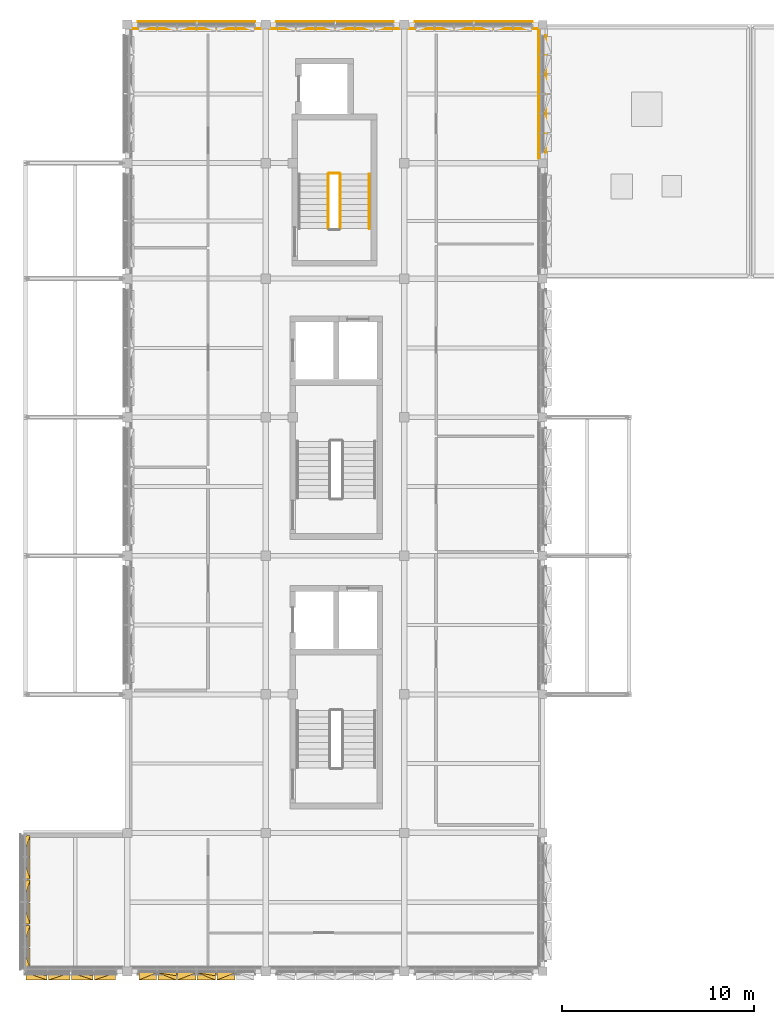
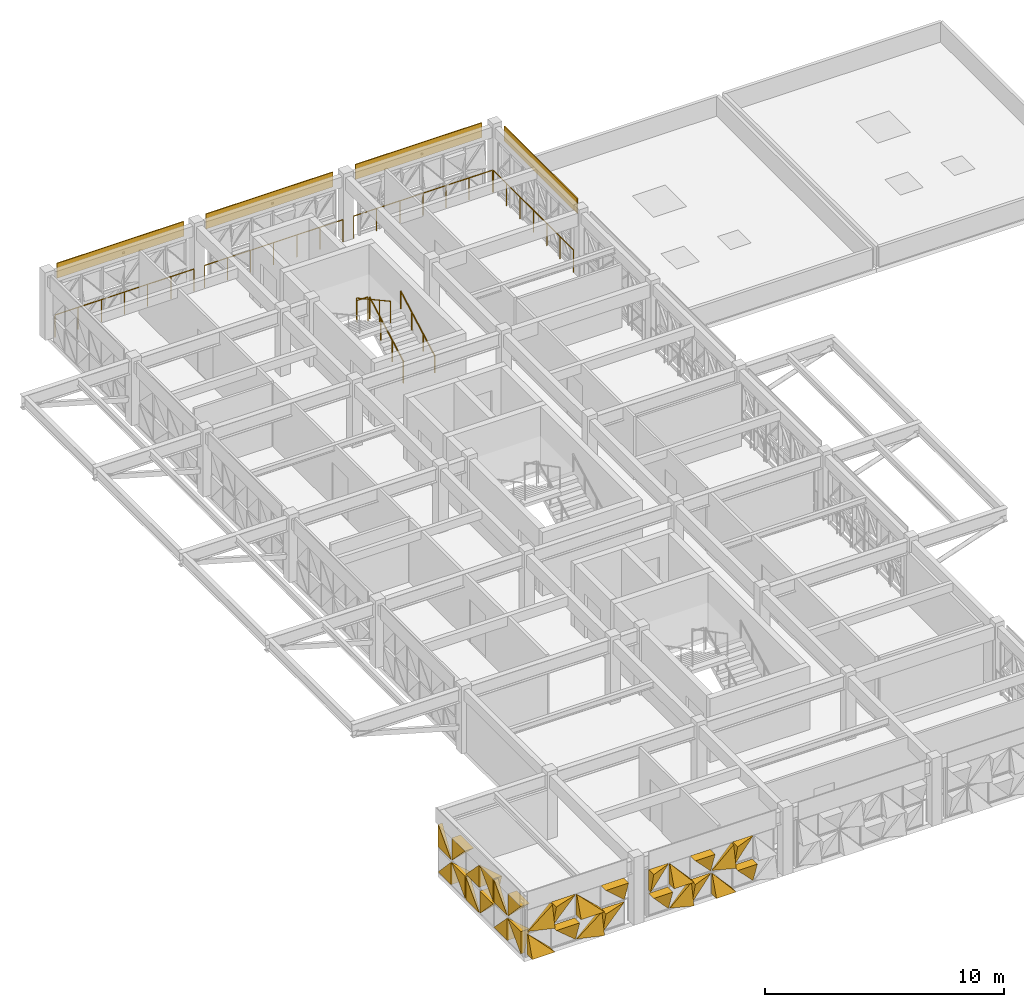
# One storey, part 26 of 30: 34 coverings, 8 railings.
"""IFC4 building model written with IfcOpenShell, lengths in metres."""

from ifc_helpers import new_model, si_unit, direction, frame, origin, origin_2d, place, context, subcontext, project, spatial, polyline, circle, outline, extrude, polygons, material, layer, layer_set, type_object, element, save


model = new_model("IFC4")

# Units and contexts
model_context = context("Model", 3, precision=1e-05, world=origin(), true_north=direction((0.0, 1.0)))
body_context = subcontext(model_context, "Body", "Model", "MODEL_VIEW")
ifc_project = project(units=[si_unit("LENGTHUNIT", "METRE"), si_unit("AREAUNIT", "SQUARE_METRE"), si_unit("VOLUMEUNIT", "CUBIC_METRE"), si_unit("PLANEANGLEUNIT", "RADIAN"), si_unit("MASSUNIT", "GRAM", prefix="KILO")], contexts=[model_context])

# Site, building, storey
site_placement = place(None, origin())
site = spatial("IfcSite", under=ifc_project, at=site_placement, CompositionType="ELEMENT")
building_placement = place(site_placement, origin())
building = spatial("IfcBuilding", under=site, at=building_placement, Name="Alvorim Cloister Faculty of Sciences", CompositionType="ELEMENT")
storey_placement = place(building_placement, frame((0.0, 0.0, 26.25)))
storey = spatial("IfcBuildingStorey", under=building, at=storey_placement, Name="L07", CompositionType="ELEMENT", Elevation=26.25)

# Coverings
ifc_material_1 = material(Name="Anodised Aluminium Alloy 6063-T6", Category="aluminium")
ifc_layer_1 = layer(ifc_material_1, 0.031982421875)
ifc_layer_set_1 = layer_set([ifc_layer_1], Name="Anodised Aluminium Alloy 6063-T6")
covering_type_1 = type_object("IfcCoveringType", Name="COV-FAC-CAS", PredefinedType="CLADDING", material=ifc_layer_set_1)
for number, where, z_axis, x_axis, name in (
    (1, (7.739990234375, 56.550048828125, 2.679931640625), (0.0, 0.0, 1.0), (1.0, 0.0, 0.0), "L07 Shifted Bar Slab-Edge Architectural Fascia"),
    (2, (14.93994140625, 56.550048828125, 2.679931640625), (0.0, 0.0, 1.0), (1.0, 0.0, 0.0), "L07 Shifted Bar Slab-Edge Architectural Fascia"),
    (3, (22.139892578125, 56.550048828125, 2.679931640625), (0.0, 0.0, 1.0), (1.0, 0.0, 0.0), "L07 Shifted Bar Slab-Edge Architectural Fascia"),
    (4, (28.949951171875, 49.739990234375, 2.679931640625), (0.0, 0.0, 1.0), (0.0, 1.0, 0.0), "L07 Shifted Bar Slab-Edge Architectural Fascia"),
):
    element("IfcCovering", number, at=place(storey_placement, frame(where, z_axis=z_axis, x_axis=x_axis)), inside=storey, type_object=covering_type_1, Name=name, PredefinedType="CLADDING", context=body_context, shape_type="SweptSolid", body=[
        extrude(outline(polyline([(0.0, 0.0), (6.1201171875, 0.0), (6.1201171875, 0.760009765625), (0.0, 0.760009765625), (0.0, 0.0)])), frame((0.0, 0.0224609375, 0.0), z_axis=(0.0, -1.0, 0.0), x_axis=(1.0, 0.0, 0.0)), (0.0, 0.0, 1.0), 0.044921875),
    ])
ifc_material_2 = material(Name="Perforated Bronze Alloy Sheet", Category="metal")
ifc_layer_2 = layer(ifc_material_2, 0.0380859375)
ifc_layer_set_2 = layer_set([ifc_layer_2], Name="Perforated Bronze Alloy Sheet")
covering_type_2 = type_object("IfcCoveringType", Name="COV-TRI-BRZ", PredefinedType="CLADDING", material=ifc_layer_set_2)
covering_1_placement = place(storey_placement, frame((7.804931640625, 7.155029296875, 0.139892578125), z_axis=(0.0, 0.0, 1.0), x_axis=(1.0, 0.0, 0.0)))
element("IfcCovering", 5, at=covering_1_placement, inside=storey, type_object=covering_type_2, Name="Diagonal Solid Metal Triangle TRI-TR", PredefinedType="CLADDING", context=body_context, shape_type="Tessellation", body=[
    polygons([(0.922607421875, 0.0260009765625, 0.002), (0.922607421875, 0.0260009765625, 1.068115234375), (0.002, 0.0260009765625, 1.068115234375), (0.922607421875, -0.03, 0.002), (0.922607421875, -0.4, 1.068115234375), (0.002, -0.4, 1.068115234375)], [[[1, 3, 2]], [[4, 5, 6]], [[1, 2, 5, 4]], [[2, 3, 6, 5]], [[3, 1, 4, 6]]], closed=True),
])
covering_2_placement = place(storey_placement, frame((7.804931640625, 7.155029296875, 1.347900390625), z_axis=(0.0, 0.0, 1.0), x_axis=(1.0, 0.0, 0.0)))
element("IfcCovering", 6, at=covering_2_placement, inside=storey, type_object=covering_type_2, Name="Diagonal Solid Metal Triangle TRI-TL", PredefinedType="CLADDING", context=body_context, shape_type="Tessellation", body=[
    polygons([(0.920607421875, 0.0260009765625, 1.068115234375), (0.0, 0.0260009765625, 1.068115234375), (0.0, 0.0260009765625, 0.002), (0.920607421875, -0.03, 1.068115234375), (0.0, -0.4, 1.068115234375), (0.0, -0.13999999999999999, 0.002)], [[[1, 3, 2]], [[4, 5, 6]], [[1, 2, 5, 4]], [[2, 3, 6, 5]], [[3, 1, 4, 6]]], closed=True),
])
covering_3_placement = place(storey_placement, frame((8.79248046875, 7.155029296875, 0.139892578125), z_axis=(0.0, 0.0, 1.0), x_axis=(1.0, 0.0, 0.0)))
element("IfcCovering", 7, at=covering_3_placement, inside=storey, type_object=covering_type_2, Name="Diagonal Solid Metal Triangle TRI-BR", PredefinedType="CLADDING", context=body_context, shape_type="Tessellation", body=[
    polygons([(0.002, 0.0260009765625, 0.0), (0.955078125, 0.0260009765625, 0.0), (0.955078125, 0.0260009765625, 1.066115234375), (0.002, -0.03, 0.0), (0.955078125, -0.4, 0.0), (0.955078125, -0.18000000000000002, 1.066115234375)], [[[1, 3, 2]], [[4, 5, 6]], [[1, 2, 5, 4]], [[2, 3, 6, 5]], [[3, 1, 4, 6]]], closed=True),
])
covering_4_placement = place(storey_placement, frame((8.79248046875, 7.155029296875, 1.347900390625), z_axis=(0.0, 0.0, 1.0), x_axis=(1.0, 0.0, 0.0)))
element("IfcCovering", 8, at=covering_4_placement, inside=storey, type_object=covering_type_2, Name="Diagonal Solid Metal Triangle TRI-BL", PredefinedType="CLADDING", context=body_context, shape_type="Tessellation", body=[
    polygons([(0.0, 0.0260009765625, 0.0), (0.953078125, 0.0260009765625, 0.0), (0.0, 0.0260009765625, 1.066115234375), (0.0, -0.4, 0.0), (0.953078125, -0.4, 0.0), (0.0, -0.03, 1.066115234375)], [[[1, 3, 2]], [[4, 5, 6]], [[1, 2, 5, 4]], [[2, 3, 6, 5]], [[3, 1, 4, 6]]], closed=True),
])
covering_5_placement = place(storey_placement, frame((9.8125, 7.155029296875, 0.139892578125), z_axis=(0.0, 0.0, 1.0), x_axis=(1.0, 0.0, 0.0)))
element("IfcCovering", 9, at=covering_5_placement, inside=storey, type_object=covering_type_2, Name="Diagonal Solid Metal Triangle TRI-TL", PredefinedType="CLADDING", context=body_context, shape_type="Tessellation", body=[
    polygons([(0.953078125, 0.0260009765625, 1.068115234375), (0.0, 0.0260009765625, 1.068115234375), (0.0, 0.0260009765625, 0.002), (0.953078125, -0.03, 1.068115234375), (0.0, -0.4, 1.068115234375), (0.0, -0.13999999999999999, 0.002)], [[[1, 3, 2]], [[4, 5, 6]], [[1, 2, 5, 4]], [[2, 3, 6, 5]], [[3, 1, 4, 6]]], closed=True),
])
covering_6_placement = place(storey_placement, frame((9.8125, 7.155029296875, 1.347900390625), z_axis=(0.0, 0.0, 1.0), x_axis=(1.0, 0.0, 0.0)))
element("IfcCovering", 10, at=covering_6_placement, inside=storey, type_object=covering_type_2, Name="Diagonal Solid Metal Triangle TRI-TR", PredefinedType="CLADDING", context=body_context, shape_type="Tessellation", body=[
    polygons([(0.955078125, 0.0260009765625, 0.002), (0.955078125, 0.0260009765625, 1.068115234375), (0.002, 0.0260009765625, 1.068115234375), (0.955078125, -0.03, 0.002), (0.955078125, -0.4, 1.068115234375), (0.002, -0.4, 1.068115234375)], [[[1, 3, 2]], [[4, 5, 6]], [[1, 2, 5, 4]], [[2, 3, 6, 5]], [[3, 1, 4, 6]]], closed=True),
])
covering_7_placement = place(storey_placement, frame((10.83251953125, 7.155029296875, 0.139892578125), z_axis=(0.0, 0.0, 1.0), x_axis=(1.0, 0.0, 0.0)))
element("IfcCovering", 11, at=covering_7_placement, inside=storey, type_object=covering_type_2, Name="Diagonal Solid Metal Triangle TRI-BL", PredefinedType="CLADDING", context=body_context, shape_type="Tessellation", body=[
    polygons([(0.0, 0.0260009765625, 0.0), (0.953078125, 0.0260009765625, 0.0), (0.0, 0.0260009765625, 1.066115234375), (0.0, -0.4, 0.0), (0.953078125, -0.4, 0.0), (0.0, -0.03, 1.066115234375)], [[[1, 3, 2]], [[4, 5, 6]], [[1, 2, 5, 4]], [[2, 3, 6, 5]], [[3, 1, 4, 6]]], closed=True),
])
covering_8_placement = place(storey_placement, frame((10.83251953125, 7.155029296875, 1.347900390625), z_axis=(0.0, 0.0, 1.0), x_axis=(1.0, 0.0, 0.0)))
element("IfcCovering", 12, at=covering_8_placement, inside=storey, type_object=covering_type_2, Name="Diagonal Solid Metal Triangle TRI-BR", PredefinedType="CLADDING", context=body_context, shape_type="Tessellation", body=[
    polygons([(0.002, 0.0260009765625, 0.0), (0.955078125, 0.0260009765625, 0.0), (0.955078125, 0.0260009765625, 1.066115234375), (0.002, -0.03, 0.0), (0.955078125, -0.4, 0.0), (0.955078125, -0.18000000000000002, 1.066115234375)], [[[1, 3, 2]], [[4, 5, 6]], [[1, 2, 5, 4]], [[2, 3, 6, 5]], [[3, 1, 4, 6]]], closed=True),
])
covering_9_placement = place(storey_placement, frame((11.8525390625, 7.155029296875, 0.139892578125), z_axis=(0.0, 0.0, 1.0), x_axis=(1.0, 0.0, 0.0)))
element("IfcCovering", 13, at=covering_9_placement, inside=storey, type_object=covering_type_2, Name="Diagonal Solid Metal Triangle TRI-TR", PredefinedType="CLADDING", context=body_context, shape_type="Tessellation", body=[
    polygons([(0.955078125, 0.0260009765625, 0.002), (0.955078125, 0.0260009765625, 1.068115234375), (0.002, 0.0260009765625, 1.068115234375), (0.955078125, -0.03, 0.002), (0.955078125, -0.4, 1.068115234375), (0.002, -0.4, 1.068115234375)], [[[1, 3, 2]], [[4, 5, 6]], [[1, 2, 5, 4]], [[2, 3, 6, 5]], [[3, 1, 4, 6]]], closed=True),
])
covering_10_placement = place(storey_placement, frame((11.8525390625, 7.155029296875, 1.347900390625), z_axis=(0.0, 0.0, 1.0), x_axis=(1.0, 0.0, 0.0)))
element("IfcCovering", 14, at=covering_10_placement, inside=storey, type_object=covering_type_2, Name="Diagonal Solid Metal Triangle TRI-TL", PredefinedType="CLADDING", context=body_context, shape_type="Tessellation", body=[
    polygons([(0.953078125, 0.0260009765625, 1.068115234375), (0.0, 0.0260009765625, 1.068115234375), (0.0, 0.0260009765625, 0.002), (0.953078125, -0.03, 1.068115234375), (0.0, -0.4, 1.068115234375), (0.0, -0.13999999999999999, 0.002)], [[[1, 3, 2]], [[4, 5, 6]], [[1, 2, 5, 4]], [[2, 3, 6, 5]], [[3, 1, 4, 6]]], closed=True),
])
covering_11_placement = place(storey_placement, frame((1.945068359375, 7.155029296875, 0.139892578125), z_axis=(0.0, 0.0, 1.0), x_axis=(1.0, 0.0, 0.0)))
element("IfcCovering", 15, at=covering_11_placement, inside=storey, type_object=covering_type_2, Name="Diagonal Solid Metal Triangle TRI-BL", PredefinedType="CLADDING", context=body_context, shape_type="Tessellation", body=[
    polygons([(0.0, 0.0260009765625, 0.0), (1.095412109375, 0.0260009765625, 0.0), (0.0, 0.0260009765625, 1.066115234375), (0.0, -0.4, 0.0), (1.095412109375, -0.4, 0.0), (0.0, -0.03, 1.066115234375)], [[[1, 3, 2]], [[4, 5, 6]], [[1, 2, 5, 4]], [[2, 3, 6, 5]], [[3, 1, 4, 6]]], closed=True),
])
covering_12_placement = place(storey_placement, frame((1.945068359375, 7.155029296875, 1.347900390625), z_axis=(0.0, 0.0, 1.0), x_axis=(1.0, 0.0, 0.0)))
element("IfcCovering", 16, at=covering_12_placement, inside=storey, type_object=covering_type_2, Name="Diagonal Solid Metal Triangle TRI-BR", PredefinedType="CLADDING", context=body_context, shape_type="Tessellation", body=[
    polygons([(0.002, 0.0260009765625, 0.0), (1.097412109375, 0.0260009765625, 0.0), (1.097412109375, 0.0260009765625, 1.066115234375), (0.002, -0.03, 0.0), (1.097412109375, -0.4, 0.0), (1.097412109375, -0.18000000000000002, 1.066115234375)], [[[1, 3, 2]], [[4, 5, 6]], [[1, 2, 5, 4]], [[2, 3, 6, 5]], [[3, 1, 4, 6]]], closed=True),
])
covering_13_placement = place(storey_placement, frame((3.107421875, 7.155029296875, 0.139892578125), z_axis=(0.0, 0.0, 1.0), x_axis=(1.0, 0.0, 0.0)))
element("IfcCovering", 17, at=covering_13_placement, inside=storey, type_object=covering_type_2, Name="Diagonal Solid Metal Triangle TRI-TR", PredefinedType="CLADDING", context=body_context, shape_type="Tessellation", body=[
    polygons([(1.1298828125, 0.0260009765625, 0.002), (1.1298828125, 0.0260009765625, 1.068115234375), (0.002, 0.0260009765625, 1.068115234375), (1.1298828125, -0.03, 0.002), (1.1298828125, -0.4, 1.068115234375), (0.002, -0.4, 1.068115234375)], [[[1, 3, 2]], [[4, 5, 6]], [[1, 2, 5, 4]], [[2, 3, 6, 5]], [[3, 1, 4, 6]]], closed=True),
])
covering_14_placement = place(storey_placement, frame((3.107421875, 7.155029296875, 1.347900390625), z_axis=(0.0, 0.0, 1.0), x_axis=(1.0, 0.0, 0.0)))
element("IfcCovering", 18, at=covering_14_placement, inside=storey, type_object=covering_type_2, Name="Diagonal Solid Metal Triangle TRI-TL", PredefinedType="CLADDING", context=body_context, shape_type="Tessellation", body=[
    polygons([(1.1278828125, 0.0260009765625, 1.068115234375), (0.0, 0.0260009765625, 1.068115234375), (0.0, 0.0260009765625, 0.002), (1.1278828125, -0.03, 1.068115234375), (0.0, -0.4, 1.068115234375), (0.0, -0.13999999999999999, 0.002)], [[[1, 3, 2]], [[4, 5, 6]], [[1, 2, 5, 4]], [[2, 3, 6, 5]], [[3, 1, 4, 6]]], closed=True),
])
covering_15_placement = place(storey_placement, frame((4.302490234375, 7.155029296875, 0.139892578125), z_axis=(0.0, 0.0, 1.0), x_axis=(1.0, 0.0, 0.0)))
element("IfcCovering", 19, at=covering_15_placement, inside=storey, type_object=covering_type_2, Name="Diagonal Solid Metal Triangle TRI-BR", PredefinedType="CLADDING", context=body_context, shape_type="Tessellation", body=[
    polygons([(0.002, 0.0260009765625, 0.0), (1.1298828125, 0.0260009765625, 0.0), (1.1298828125, 0.0260009765625, 1.066115234375), (0.002, -0.03, 0.0), (1.1298828125, -0.4, 0.0), (1.1298828125, -0.18000000000000002, 1.066115234375)], [[[1, 3, 2]], [[4, 5, 6]], [[1, 2, 5, 4]], [[2, 3, 6, 5]], [[3, 1, 4, 6]]], closed=True),
])
covering_16_placement = place(storey_placement, frame((4.302490234375, 7.155029296875, 1.347900390625), z_axis=(0.0, 0.0, 1.0), x_axis=(1.0, 0.0, 0.0)))
element("IfcCovering", 20, at=covering_16_placement, inside=storey, type_object=covering_type_2, Name="Diagonal Solid Metal Triangle TRI-BL", PredefinedType="CLADDING", context=body_context, shape_type="Tessellation", body=[
    polygons([(0.0, 0.0260009765625, 0.0), (1.1278828125, 0.0260009765625, 0.0), (0.0, 0.0260009765625, 1.066115234375), (0.0, -0.4, 0.0), (1.1278828125, -0.4, 0.0), (0.0, -0.03, 1.066115234375)], [[[1, 3, 2]], [[4, 5, 6]], [[1, 2, 5, 4]], [[2, 3, 6, 5]], [[3, 1, 4, 6]]], closed=True),
])
covering_17_placement = place(storey_placement, frame((5.49755859375, 7.155029296875, 0.139892578125), z_axis=(0.0, 0.0, 1.0), x_axis=(1.0, 0.0, 0.0)))
element("IfcCovering", 21, at=covering_17_placement, inside=storey, type_object=covering_type_2, Name="Diagonal Solid Metal Triangle TRI-TL", PredefinedType="CLADDING", context=body_context, shape_type="Tessellation", body=[
    polygons([(1.095412109375, 0.0260009765625, 1.068115234375), (0.0, 0.0260009765625, 1.068115234375), (0.0, 0.0260009765625, 0.002), (1.095412109375, -0.03, 1.068115234375), (0.0, -0.4, 1.068115234375), (0.0, -0.13999999999999999, 0.002)], [[[1, 3, 2]], [[4, 5, 6]], [[1, 2, 5, 4]], [[2, 3, 6, 5]], [[3, 1, 4, 6]]], closed=True),
])
covering_18_placement = place(storey_placement, frame((5.49755859375, 7.155029296875, 1.347900390625), z_axis=(0.0, 0.0, 1.0), x_axis=(1.0, 0.0, 0.0)))
element("IfcCovering", 22, at=covering_18_placement, inside=storey, type_object=covering_type_2, Name="Diagonal Solid Metal Triangle TRI-TR", PredefinedType="CLADDING", context=body_context, shape_type="Tessellation", body=[
    polygons([(1.097412109375, 0.0260009765625, 0.002), (1.097412109375, 0.0260009765625, 1.068115234375), (0.002, 0.0260009765625, 1.068115234375), (1.097412109375, -0.03, 0.002), (1.097412109375, -0.4, 1.068115234375), (0.002, -0.4, 1.068115234375)], [[[1, 3, 2]], [[4, 5, 6]], [[1, 2, 5, 4]], [[2, 3, 6, 5]], [[3, 1, 4, 6]]], closed=True),
])
covering_19_placement = place(storey_placement, frame((1.7548828125, 7.344970703125, 0.139892578125), z_axis=(0.0, 0.0, 1.0), x_axis=(0.0, 1.0, 0.0)))
element("IfcCovering", 23, at=covering_19_placement, inside=storey, type_object=covering_type_2, Name="Diagonal Solid Metal Triangle TRI-TL", PredefinedType="CLADDING", context=body_context, shape_type="Tessellation", body=[
    polygons([(1.073927734375, 0.0260009765625, 1.1435546875), (0.0, 0.0260009765625, 1.1435546875), (0.0, 0.0260009765625, 0.002), (1.073927734375, -0.03, 1.1435546875), (0.0, -0.4, 1.1435546875), (0.0, -0.13999999999999999, 0.002)], [[[1, 3, 2]], [[4, 5, 6]], [[1, 2, 5, 4]], [[2, 3, 6, 5]], [[3, 1, 4, 6]]], closed=True),
])
covering_20_placement = place(storey_placement, frame((1.7548828125, 7.344970703125, 1.423583984375), z_axis=(0.0, 0.0, 1.0), x_axis=(0.0, 1.0, 0.0)))
element("IfcCovering", 24, at=covering_20_placement, inside=storey, type_object=covering_type_2, Name="Diagonal Solid Metal Triangle TRI-TR", PredefinedType="CLADDING", context=body_context, shape_type="Tessellation", body=[
    polygons([(1.075927734375, 0.0260009765625, 0.002), (1.075927734375, 0.0260009765625, 1.143310546875), (0.002, 0.0260009765625, 1.143310546875), (1.075927734375, -0.03, 0.002), (1.075927734375, -0.4, 1.143310546875), (0.002, -0.4, 1.143310546875)], [[[1, 3, 2]], [[4, 5, 6]], [[1, 2, 5, 4]], [[2, 3, 6, 5]], [[3, 1, 4, 6]]], closed=True),
])
covering_21_placement = place(storey_placement, frame((1.7548828125, 8.48583984375, 0.139892578125), z_axis=(0.0, 0.0, 1.0), x_axis=(0.0, 1.0, 0.0)))
element("IfcCovering", 25, at=covering_21_placement, inside=storey, type_object=covering_type_2, Name="Diagonal Solid Metal Triangle TRI-BL", PredefinedType="CLADDING", context=body_context, shape_type="Tessellation", body=[
    polygons([(0.0, 0.0260009765625, 0.0), (1.1063984375, 0.0260009765625, 0.0), (0.0, 0.0260009765625, 1.1415546875), (0.0, -0.4, 0.0), (1.1063984375, -0.4, 0.0), (0.0, -0.03, 1.1415546875)], [[[1, 3, 2]], [[4, 5, 6]], [[1, 2, 5, 4]], [[2, 3, 6, 5]], [[3, 1, 4, 6]]], closed=True),
])
covering_22_placement = place(storey_placement, frame((1.7548828125, 8.48583984375, 1.423583984375), z_axis=(0.0, 0.0, 1.0), x_axis=(0.0, 1.0, 0.0)))
element("IfcCovering", 26, at=covering_22_placement, inside=storey, type_object=covering_type_2, Name="Diagonal Solid Metal Triangle TRI-BR", PredefinedType="CLADDING", context=body_context, shape_type="Tessellation", body=[
    polygons([(0.002, 0.0260009765625, 0.0), (1.1083984375, 0.0260009765625, 0.0), (1.1083984375, 0.0260009765625, 1.141310546875), (0.002, -0.03, 0.0), (1.1083984375, -0.4, 0.0), (1.1083984375, -0.18000000000000002, 1.141310546875)], [[[1, 3, 2]], [[4, 5, 6]], [[1, 2, 5, 4]], [[2, 3, 6, 5]], [[3, 1, 4, 6]]], closed=True),
])
covering_23_placement = place(storey_placement, frame((1.7548828125, 9.6591796875, 0.139892578125), z_axis=(0.0, 0.0, 1.0), x_axis=(0.0, 1.0, 0.0)))
element("IfcCovering", 27, at=covering_23_placement, inside=storey, type_object=covering_type_2, Name="Diagonal Solid Metal Triangle TRI-TR", PredefinedType="CLADDING", context=body_context, shape_type="Tessellation", body=[
    polygons([(1.1083984375, 0.0260009765625, 0.002), (1.1083984375, 0.0260009765625, 1.1435546875), (0.002, 0.0260009765625, 1.1435546875), (1.1083984375, -0.03, 0.002), (1.1083984375, -0.4, 1.1435546875), (0.002, -0.4, 1.1435546875)], [[[1, 3, 2]], [[4, 5, 6]], [[1, 2, 5, 4]], [[2, 3, 6, 5]], [[3, 1, 4, 6]]], closed=True),
])
covering_24_placement = place(storey_placement, frame((1.7548828125, 9.6591796875, 1.423583984375), z_axis=(0.0, 0.0, 1.0), x_axis=(0.0, 1.0, 0.0)))
element("IfcCovering", 28, at=covering_24_placement, inside=storey, type_object=covering_type_2, Name="Diagonal Solid Metal Triangle TRI-TL", PredefinedType="CLADDING", context=body_context, shape_type="Tessellation", body=[
    polygons([(1.1063984375, 0.0260009765625, 1.143310546875), (0.0, 0.0260009765625, 1.143310546875), (0.0, 0.0260009765625, 0.002), (1.1063984375, -0.03, 1.143310546875), (0.0, -0.4, 1.143310546875), (0.0, -0.13999999999999999, 0.002)], [[[1, 3, 2]], [[4, 5, 6]], [[1, 2, 5, 4]], [[2, 3, 6, 5]], [[3, 1, 4, 6]]], closed=True),
])
covering_25_placement = place(storey_placement, frame((1.7548828125, 10.83251953125, 0.139892578125), z_axis=(0.0, 0.0, 1.0), x_axis=(0.0, 1.0, 0.0)))
element("IfcCovering", 29, at=covering_25_placement, inside=storey, type_object=covering_type_2, Name="Diagonal Solid Metal Triangle TRI-BR", PredefinedType="CLADDING", context=body_context, shape_type="Tessellation", body=[
    polygons([(0.002, 0.0260009765625, 0.0), (1.1083984375, 0.0260009765625, 0.0), (1.1083984375, 0.0260009765625, 1.1415546875), (0.002, -0.03, 0.0), (1.1083984375, -0.4, 0.0), (1.1083984375, -0.18000000000000002, 1.1415546875)], [[[1, 3, 2]], [[4, 5, 6]], [[1, 2, 5, 4]], [[2, 3, 6, 5]], [[3, 1, 4, 6]]], closed=True),
])
covering_26_placement = place(storey_placement, frame((1.7548828125, 10.83251953125, 1.423583984375), z_axis=(0.0, 0.0, 1.0), x_axis=(0.0, 1.0, 0.0)))
element("IfcCovering", 30, at=covering_26_placement, inside=storey, type_object=covering_type_2, Name="Diagonal Solid Metal Triangle TRI-BL", PredefinedType="CLADDING", context=body_context, shape_type="Tessellation", body=[
    polygons([(0.0, 0.0260009765625, 0.0), (1.1063984375, 0.0260009765625, 0.0), (0.0, 0.0260009765625, 1.141310546875), (0.0, -0.4, 0.0), (1.1063984375, -0.4, 0.0), (0.0, -0.03, 1.141310546875)], [[[1, 3, 2]], [[4, 5, 6]], [[1, 2, 5, 4]], [[2, 3, 6, 5]], [[3, 1, 4, 6]]], closed=True),
])
covering_27_placement = place(storey_placement, frame((1.7548828125, 12.005859375, 0.139892578125), z_axis=(0.0, 0.0, 1.0), x_axis=(0.0, 1.0, 0.0)))
element("IfcCovering", 31, at=covering_27_placement, inside=storey, type_object=covering_type_2, Name="Diagonal Solid Metal Triangle TRI-TL", PredefinedType="CLADDING", context=body_context, shape_type="Tessellation", body=[
    polygons([(1.1063984375, 0.0260009765625, 1.1435546875), (0.0, 0.0260009765625, 1.1435546875), (0.0, 0.0260009765625, 0.002), (1.1063984375, -0.03, 1.1435546875), (0.0, -0.4, 1.1435546875), (0.0, -0.13999999999999999, 0.002)], [[[1, 3, 2]], [[4, 5, 6]], [[1, 2, 5, 4]], [[2, 3, 6, 5]], [[3, 1, 4, 6]]], closed=True),
])
covering_28_placement = place(storey_placement, frame((1.7548828125, 12.005859375, 1.423583984375), z_axis=(0.0, 0.0, 1.0), x_axis=(0.0, 1.0, 0.0)))
element("IfcCovering", 32, at=covering_28_placement, inside=storey, type_object=covering_type_2, Name="Diagonal Solid Metal Triangle TRI-TR", PredefinedType="CLADDING", context=body_context, shape_type="Tessellation", body=[
    polygons([(1.1083984375, 0.0260009765625, 0.002), (1.1083984375, 0.0260009765625, 1.143310546875), (0.002, 0.0260009765625, 1.143310546875), (1.1083984375, -0.03, 0.002), (1.1083984375, -0.4, 1.143310546875), (0.002, -0.4, 1.143310546875)], [[[1, 3, 2]], [[4, 5, 6]], [[1, 2, 5, 4]], [[2, 3, 6, 5]], [[3, 1, 4, 6]]], closed=True),
])
covering_29_placement = place(storey_placement, frame((1.7548828125, 13.17919921875, 0.139892578125), z_axis=(0.0, 0.0, 1.0), x_axis=(0.0, 1.0, 0.0)))
element("IfcCovering", 33, at=covering_29_placement, inside=storey, type_object=covering_type_2, Name="Diagonal Solid Metal Triangle TRI-BL", PredefinedType="CLADDING", context=body_context, shape_type="Tessellation", body=[
    polygons([(0.0, 0.0260009765625, 0.0), (1.073927734375, 0.0260009765625, 0.0), (0.0, 0.0260009765625, 1.1415546875), (0.0, -0.4, 0.0), (1.073927734375, -0.4, 0.0), (0.0, -0.03, 1.1415546875)], [[[1, 3, 2]], [[4, 5, 6]], [[1, 2, 5, 4]], [[2, 3, 6, 5]], [[3, 1, 4, 6]]], closed=True),
])
covering_30_placement = place(storey_placement, frame((1.7548828125, 13.17919921875, 1.423583984375), z_axis=(0.0, 0.0, 1.0), x_axis=(0.0, 1.0, 0.0)))
element("IfcCovering", 34, at=covering_30_placement, inside=storey, type_object=covering_type_2, Name="Diagonal Solid Metal Triangle TRI-BR", PredefinedType="CLADDING", context=body_context, shape_type="Tessellation", body=[
    polygons([(0.002, 0.0260009765625, 0.0), (1.075927734375, 0.0260009765625, 0.0), (1.075927734375, 0.0260009765625, 1.141310546875), (0.002, -0.03, 0.0), (1.075927734375, -0.4, 0.0), (1.075927734375, -0.18000000000000002, 1.141310546875)], [[[1, 3, 2]], [[4, 5, 6]], [[1, 2, 5, 4]], [[2, 3, 6, 5]], [[3, 1, 4, 6]]], closed=True),
])

# Railings
ifc_material_3 = material(Name="Laminated Safety Glass and Bronze", Category="glass")
railing_type_1 = type_object("IfcRailingType", Name="RL-ATR-BAL-1150", PredefinedType="BALUSTRADE", material=ifc_material_3)
railing_1_placement = place(storey_placement, frame((7.449951171875, 56.179931640625, 0.0)))
element("IfcRailing", 35, at=railing_1_placement, inside=storey, type_object=railing_type_1, Name="L07 Curtain Wall Sill Guard BL-266", PredefinedType="BALUSTRADE", context=body_context, shape_type="SweptSolid", body=[
    extrude(circle(Radius=0.02392578125, at=origin_2d()), frame((0.0, 0.0, 1.1259765625), z_axis=(1.0, 0.0, 0.0), x_axis=(0.0, 1.0, 0.0)), (0.0, 0.0, 1.0), 6.699951171875),
    extrude(circle(Radius=0.02099609375, at=origin_2d()), origin(), (0.0, 0.0, 1.0), 1.101806640625),
    extrude(circle(Radius=0.02099609375, at=origin_2d()), frame((1.11669921875, 0.0, 0.0)), (0.0, 0.0, 1.0), 1.101806640625),
    extrude(circle(Radius=0.02099609375, at=origin_2d()), frame((2.2333984375, 0.0, 0.0)), (0.0, 0.0, 1.0), 1.101806640625),
    extrude(circle(Radius=0.02099609375, at=origin_2d()), frame((3.35009765625, 0.0, 0.0)), (0.0, 0.0, 1.0), 1.101806640625),
    extrude(circle(Radius=0.02099609375, at=origin_2d()), frame((4.466552734375, 0.0, 0.0)), (0.0, 0.0, 1.0), 1.101806640625),
    extrude(circle(Radius=0.02099609375, at=origin_2d()), frame((5.583251953125, 0.0, 0.0)), (0.0, 0.0, 1.0), 1.101806640625),
    extrude(circle(Radius=0.02099609375, at=origin_2d()), frame((6.699951171875, 0.0, 0.0)), (0.0, 0.0, 1.0), 1.101806640625),
])
railing_2_placement = place(storey_placement, frame((14.64990234375, 56.179931640625, 0.0)))
element("IfcRailing", 36, at=railing_2_placement, inside=storey, type_object=railing_type_1, Name="L07 Curtain Wall Sill Guard BL-267", PredefinedType="BALUSTRADE", context=body_context, shape_type="SweptSolid", body=[
    extrude(circle(Radius=0.02392578125, at=origin_2d()), frame((0.0, 0.0, 1.1259765625), z_axis=(1.0, 0.0, 0.0), x_axis=(0.0, 1.0, 0.0)), (0.0, 0.0, 1.0), 6.7001953125),
    extrude(circle(Radius=0.02099609375, at=origin_2d()), origin(), (0.0, 0.0, 1.0), 1.101806640625),
    extrude(circle(Radius=0.02099609375, at=origin_2d()), frame((1.11669921875, 0.0, 0.0)), (0.0, 0.0, 1.0), 1.101806640625),
    extrude(circle(Radius=0.02099609375, at=origin_2d()), frame((2.2333984375, 0.0, 0.0)), (0.0, 0.0, 1.0), 1.101806640625),
    extrude(circle(Radius=0.02099609375, at=origin_2d()), frame((3.35009765625, 0.0, 0.0)), (0.0, 0.0, 1.0), 1.101806640625),
    extrude(circle(Radius=0.02099609375, at=origin_2d()), frame((4.466796875, 0.0, 0.0)), (0.0, 0.0, 1.0), 1.101806640625),
    extrude(circle(Radius=0.02099609375, at=origin_2d()), frame((5.58349609375, 0.0, 0.0)), (0.0, 0.0, 1.0), 1.101806640625),
    extrude(circle(Radius=0.02099609375, at=origin_2d()), frame((6.7001953125, 0.0, 0.0)), (0.0, 0.0, 1.0), 1.101806640625),
])
railing_3_placement = place(storey_placement, frame((21.85009765625, 56.179931640625, 0.0)))
element("IfcRailing", 37, at=railing_3_placement, inside=storey, type_object=railing_type_1, Name="L07 Curtain Wall Sill Guard BL-268", PredefinedType="BALUSTRADE", context=body_context, shape_type="SweptSolid", body=[
    extrude(circle(Radius=0.02392578125, at=origin_2d()), frame((0.0, 0.0, 1.1259765625), z_axis=(1.0, 0.0, 0.0), x_axis=(0.0, 1.0, 0.0)), (0.0, 0.0, 1.0), 6.699951171875),
    extrude(circle(Radius=0.02099609375, at=origin_2d()), origin(), (0.0, 0.0, 1.0), 1.101806640625),
    extrude(circle(Radius=0.02099609375, at=origin_2d()), frame((1.11669921875, 0.0, 0.0)), (0.0, 0.0, 1.0), 1.101806640625),
    extrude(circle(Radius=0.02099609375, at=origin_2d()), frame((2.2333984375, 0.0, 0.0)), (0.0, 0.0, 1.0), 1.101806640625),
    extrude(circle(Radius=0.02099609375, at=origin_2d()), frame((3.35009765625, 0.0, 0.0)), (0.0, 0.0, 1.0), 1.101806640625),
    extrude(circle(Radius=0.02099609375, at=origin_2d()), frame((4.466552734375, 0.0, 0.0)), (0.0, 0.0, 1.0), 1.101806640625),
    extrude(circle(Radius=0.02099609375, at=origin_2d()), frame((5.583251953125, 0.0, 0.0)), (0.0, 0.0, 1.0), 1.101806640625),
    extrude(circle(Radius=0.02099609375, at=origin_2d()), frame((6.699951171875, 0.0, 0.0)), (0.0, 0.0, 1.0), 1.101806640625),
])
railing_4_placement = place(storey_placement, frame((28.580078125, 49.449951171875, 0.0)))
element("IfcRailing", 38, at=railing_4_placement, inside=storey, type_object=railing_type_1, Name="L07 Curtain Wall Sill Guard BL-269", PredefinedType="BALUSTRADE", context=body_context, shape_type="SweptSolid", body=[
    extrude(circle(Radius=0.02392578125, at=origin_2d()), frame((0.0, 0.0, 1.1259765625), z_axis=(0.0, 1.0, 0.0), x_axis=(-1.0, 0.0, 0.0)), (0.0, 0.0, 1.0), 6.699951171875),
    extrude(circle(Radius=0.02099609375, at=origin_2d()), origin(), (0.0, 0.0, 1.0), 1.101806640625),
    extrude(circle(Radius=0.02099609375, at=origin_2d()), frame((0.0, 1.11669921875, 0.0)), (0.0, 0.0, 1.0), 1.101806640625),
    extrude(circle(Radius=0.02099609375, at=origin_2d()), frame((0.0, 2.2333984375, 0.0)), (0.0, 0.0, 1.0), 1.101806640625),
    extrude(circle(Radius=0.02099609375, at=origin_2d()), frame((0.0, 3.35009765625, 0.0)), (0.0, 0.0, 1.0), 1.101806640625),
    extrude(circle(Radius=0.02099609375, at=origin_2d()), frame((0.0, 4.466552734375, 0.0)), (0.0, 0.0, 1.0), 1.101806640625),
    extrude(circle(Radius=0.02099609375, at=origin_2d()), frame((0.0, 5.583251953125, 0.0)), (0.0, 0.0, 1.0), 1.101806640625),
    extrude(circle(Radius=0.02099609375, at=origin_2d()), frame((0.0, 6.699951171875, 0.0)), (0.0, 0.0, 1.0), 1.101806640625),
])
ifc_material_4 = material(Name="Galvanised Painted Steel", Category="steel")
railing_type_2 = type_object("IfcRailingType", Name="RL-STR-GUARD", PredefinedType="GUARDRAIL", material=ifc_material_4)
railing_5_placement = place(storey_placement, frame((18.27001953125, 45.800048828125, 0.172607421875)))
element("IfcRailing", 39, at=railing_5_placement, inside=storey, type_object=railing_type_2, Name="L07 ST-03 stair guard 1", PredefinedType="GUARDRAIL", context=body_context, shape_type="SweptSolid", body=[
    extrude(circle(Radius=0.02392578125, at=origin_2d()), frame((0.0, 0.0, 1.09619140625), z_axis=(0.0, 0.877094752556, 0.480317389899), x_axis=(-1.0, 0.0, 0.0)), (0.0, 0.0, 1.0), 3.232177734375),
    extrude(circle(Radius=0.02099609375, at=origin_2d()), origin(), (0.0, 0.0, 1.0), 1.072021484375),
    extrude(circle(Radius=0.02099609375, at=origin_2d()), frame((0.0, 0.945068359375, 0.517578125)), (0.0, 0.0, 1.0), 1.072021484375),
    extrude(circle(Radius=0.02099609375, at=origin_2d()), frame((0.0, 1.889892578125, 1.034912109375)), (0.0, 0.0, 1.0), 1.072021484375),
    extrude(circle(Radius=0.02099609375, at=origin_2d()), frame((0.0, 2.8349609375, 1.552490234375)), (0.0, 0.0, 1.0), 1.072021484375),
])
railing_6_placement = place(storey_placement, frame((18.219970703125, 48.68505859375, 1.72509765625)))
element("IfcRailing", 40, at=railing_6_placement, inside=storey, type_object=railing_type_2, Name="L07 ST-03 stair guard 2", PredefinedType="GUARDRAIL", context=body_context, shape_type="SweptSolid", body=[
    extrude(circle(Radius=0.02392578125, at=origin_2d()), frame((0.0, 0.0, 1.09619140625), z_axis=(-1.0, 0.0, 0.0), x_axis=(0.0, -1.0, 0.0)), (0.0, 0.0, 1.0), 0.52001953125),
    extrude(circle(Radius=0.02099609375, at=origin_2d()), origin(), (0.0, 0.0, 1.0), 1.072021484375),
    extrude(circle(Radius=0.02099609375, at=origin_2d()), frame((-0.52001953125, 0.0, 0.0)), (0.0, 0.0, 1.0), 1.072021484375),
])
railing_7_placement = place(storey_placement, frame((17.64990234375, 48.635009765625, 1.8974609375)))
element("IfcRailing", 41, at=railing_7_placement, inside=storey, type_object=railing_type_2, Name="L07 ST-03 stair guard 3", PredefinedType="GUARDRAIL", context=body_context, shape_type="SweptSolid", body=[
    extrude(circle(Radius=0.02392578125, at=origin_2d()), frame((0.0, 0.0, 1.09619140625), z_axis=(0.0, -0.877094752556, 0.480317389899), x_axis=(1.0, 0.0, 0.0)), (0.0, 0.0, 1.0), 3.232177734375),
    extrude(circle(Radius=0.02099609375, at=origin_2d()), origin(), (0.0, 0.0, 1.0), 1.072021484375),
    extrude(circle(Radius=0.02099609375, at=origin_2d()), frame((0.0, -0.945068359375, 0.517578125)), (0.0, 0.0, 1.0), 1.072021484375),
    extrude(circle(Radius=0.02099609375, at=origin_2d()), frame((0.0, -1.889892578125, 1.034912109375)), (0.0, 0.0, 1.0), 1.072021484375),
    extrude(circle(Radius=0.02099609375, at=origin_2d()), frame((0.0, -2.8349609375, 1.552490234375)), (0.0, 0.0, 1.0), 1.072021484375),
])
ifc_material_5 = material(Name="Brushed Stainless Steel", Category="steel")
railing_type_3 = type_object("IfcRailingType", Name="RL-STR-HAND", PredefinedType="HANDRAIL", material=ifc_material_5)
railing_8_placement = place(storey_placement, frame((19.77001953125, 45.800048828125, 0.172607421875)))
element("IfcRailing", 42, at=railing_8_placement, inside=storey, type_object=railing_type_3, Name="L07 ST-03 stair handrail 1", PredefinedType="HANDRAIL", context=body_context, shape_type="SweptSolid", body=[
    extrude(circle(Radius=0.02392578125, at=origin_2d()), frame((0.0, 0.0, 0.8759765625), z_axis=(0.0, 0.877094752556, 0.480317389899), x_axis=(-1.0, 0.0, 0.0)), (0.0, 0.0, 1.0), 3.232177734375),
    extrude(circle(Radius=0.02099609375, at=origin_2d()), origin(), (0.0, 0.0, 1.0), 0.851806640625),
    extrude(circle(Radius=0.02099609375, at=origin_2d()), frame((0.0, 0.945068359375, 0.517578125)), (0.0, 0.0, 1.0), 0.851806640625),
    extrude(circle(Radius=0.02099609375, at=origin_2d()), frame((0.0, 1.889892578125, 1.034912109375)), (0.0, 0.0, 1.0), 0.851806640625),
    extrude(circle(Radius=0.02099609375, at=origin_2d()), frame((0.0, 2.8349609375, 1.552490234375)), (0.0, 0.0, 1.0), 0.851806640625),
])

save(model, "model.ifc")
